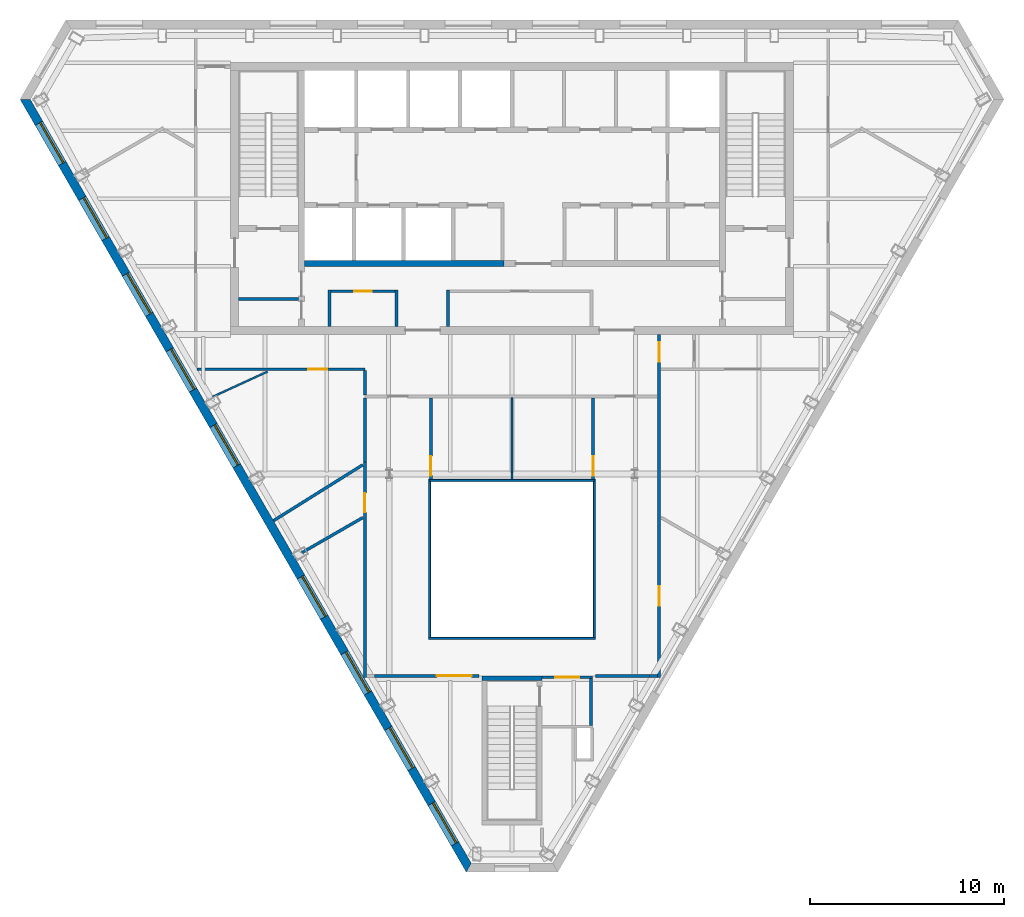
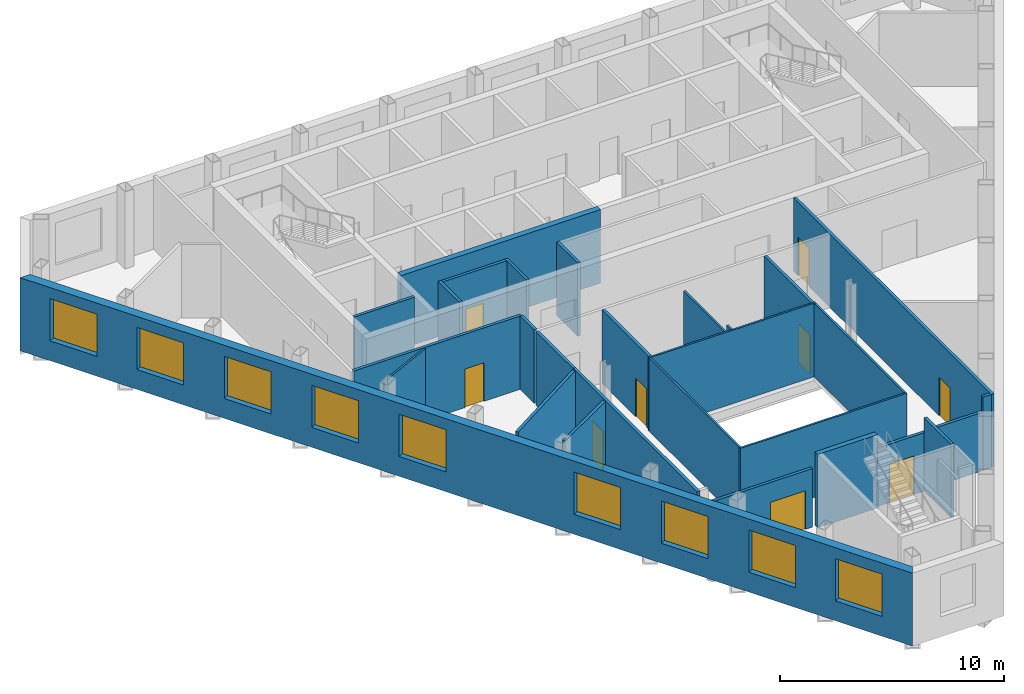
# One storey, part 4 of 10: 29 walls, 9 doors, 9 windows, 18 openings.
"""IFC4 building model written with IfcOpenShell, lengths in metres."""

from ifc_helpers import new_model, si_unit, direction, frame, frame_2d, origin, place, context, subcontext, project, spatial, polyline, rectangle, outline, extrude, material, layer, layer_set, type_object, element, fill, save


model = new_model("IFC4")

# Units and contexts
model_context = context("Model", 3, precision=1e-05, world=origin(), true_north=direction((0.0, 1.0)))
body_context = subcontext(model_context, "Body", "Model", "MODEL_VIEW")
ifc_project = project(units=[si_unit("LENGTHUNIT", "METRE"), si_unit("AREAUNIT", "SQUARE_METRE"), si_unit("VOLUMEUNIT", "CUBIC_METRE"), si_unit("PLANEANGLEUNIT", "RADIAN"), si_unit("MASSUNIT", "GRAM", prefix="KILO")], contexts=[model_context])

# Site, building, storey
site_placement = place(None, origin())
site = spatial("IfcSite", under=ifc_project, at=site_placement, CompositionType="ELEMENT")
building_placement = place(site_placement, origin())
building = spatial("IfcBuilding", under=site, at=building_placement, Name="Njiva Tower", CompositionType="ELEMENT")
storey_placement = place(building_placement, frame((0.0, 0.0, 304.2)))
storey = spatial("IfcBuildingStorey", under=building, at=storey_placement, Name="L69", CompositionType="ELEMENT", Elevation=304.2)

# Walls
ifc_material_1 = material(Name="Blockwork", Category="masonry")
ifc_layer_1 = layer(ifc_material_1, 0.15)
ifc_layer_set_1 = layer_set([ifc_layer_1], Name="Blockwork")
wall_type_1 = type_object("IfcWallType", Name="WT1 Compartment partition 150", PredefinedType="PARTITIONING", material=ifc_layer_set_1)
wall_1_placement = place(storey_placement, frame((-14.1, 5.825, 0.0), z_axis=(0.0, 0.0, 1.0), x_axis=(1.0, 0.0, 0.0)))
element("IfcWall", 1, at=wall_1_placement, inside=storey, type_object=wall_type_1, Name="Room wall A", PredefinedType="PARTITIONING", context=body_context, shape_type="SweptSolid", body=[
    extrude(rectangle(XDim=3.1, YDim=0.15, at=frame_2d((1.55, 0.0))), origin(), (0.0, 0.0, 1.0), 4.0),
])
for number, where, z_axis, x_axis, name in (
    (2, (-9.4, 4.4, 0.0), (0.0, 0.0, 1.0), (0.0, 1.0, 0.0), "Security office wall west"),
    (3, (-5.95, 4.4, 0.0), (0.0, 0.0, 1.0), (0.0, 1.0, 0.0), "Security office wall east"),
):
    element("IfcWall", number, at=place(storey_placement, frame(where, z_axis=z_axis, x_axis=x_axis)), inside=storey, type_object=wall_type_1, Name=name, PredefinedType="PARTITIONING", context=body_context, shape_type="SweptSolid", body=[
        extrude(rectangle(XDim=1.895, YDim=0.15, at=frame_2d((0.9475, 0.0))), origin(), (0.0, 0.0, 1.0), 4.0),
    ])

# Wall, opening, door
wall_2_placement = place(storey_placement, frame((-9.325, 6.22, 0.0), z_axis=(0.0, 0.0, 1.0), x_axis=(1.0, 0.0, 0.0)))
wall_2 = element("IfcWall", 4, at=wall_2_placement, inside=storey, type_object=wall_type_1, Name="Security office wall north", PredefinedType="PARTITIONING", context=body_context, shape_type="SweptSolid", body=[
    extrude(rectangle(XDim=3.3, YDim=0.15, at=frame_2d((1.65, 0.0))), origin(), (0.0, 0.0, 1.0), 4.0),
])
opening_1_placement = place(wall_2_placement, frame((1.2, 0.0, 0.0)))
opening_1 = element("IfcOpeningElement", 5, at=opening_1_placement, cuts=wall_2, Name="Opening S23-D926", PredefinedType="OPENING", context=body_context, shape_type="SweptSolid", body=[
    extrude(rectangle(XDim=0.9, YDim=2.1, at=frame_2d((0.45, 1.05))), frame((0.0, 0.085, 0.0), z_axis=(0.0, -1.0, 0.0), x_axis=(1.0, 0.0, 0.0)), (0.0, 0.0, 1.0), 0.17),
])
ifc_material_2 = material(Name="Steel fire door, painted", Category="steel")
door_type_1 = type_object("IfcDoorType", Name="D6 Fire-rated door 900x2100", OperationType="SINGLE_SWING_LEFT", PredefinedType="DOOR", material=ifc_material_2)
door_1_placement = place(opening_1_placement, origin())
door_1 = element("IfcDoor", 6, at=door_1_placement, inside=storey, type_object=door_type_1, Name="Security office door", OperationType="SINGLE_SWING_RIGHT", OverallHeight=2.1, OverallWidth=0.9, PredefinedType="DOOR", context=body_context, shape_type="SweptSolid", body=[
    extrude(rectangle(XDim=0.9, YDim=2.1, at=frame_2d((0.45, 1.05))), frame((0.0, 0.025, 0.0), z_axis=(0.0, -1.0, 0.0), x_axis=(1.0, 0.0, 0.0)), (0.0, 0.0, 1.0), 0.05),
])
fill(opening_1, door_1)

# Walls
wall_3_placement = place(storey_placement, frame((-3.3, 4.4, 0.0), z_axis=(0.0, 0.0, 1.0), x_axis=(0.0, 1.0, 0.0)))
element("IfcWall", 7, at=wall_3_placement, inside=storey, type_object=wall_type_1, Name="Concierge office wall west", PredefinedType="PARTITIONING", context=body_context, shape_type="SweptSolid", body=[
    extrude(rectangle(XDim=1.895, YDim=0.15, at=frame_2d((0.9475, 0.0))), origin(), (0.0, 0.0, 1.0), 4.0),
])
ifc_material_3 = material(Name="Gypsum board on steel studs", Category="gypsum")
ifc_layer_2 = layer(ifc_material_3, 0.1)
ifc_layer_set_2 = layer_set([ifc_layer_2], Name="Gypsum board on steel studs")
wall_type_2 = type_object("IfcWallType", Name="WT20 Gypsum partition 100", PredefinedType="PARTITIONING", material=ifc_layer_set_2)
wall_4_placement = place(storey_placement, frame((-15.435, 0.779, 0.0), z_axis=(0.0, 0.0, 1.0), x_axis=(0.908867400556, 0.417085180996, 0.0)))
element("IfcWall", 8, at=wall_4_placement, inside=storey, type_object=wall_type_2, Name="Partition S23-P006", PredefinedType="PARTITIONING", context=body_context, shape_type="SweptSolid", body=[
    extrude(rectangle(XDim=3.1193, YDim=0.1, at=frame_2d((1.5596, 0.0))), origin(), (0.0, 0.0, 1.0), 4.0),
])
wall_5_placement = place(storey_placement, frame((-0.001, 0.725, 0.0), z_axis=(0.0, 0.0, 1.0), x_axis=(0.000235294111, -0.999999972318, 0.0)))
element("IfcWall", 9, at=wall_5_placement, inside=storey, type_object=wall_type_2, Name="Partition S23-P015", PredefinedType="PARTITIONING", context=body_context, shape_type="SweptSolid", body=[
    extrude(rectangle(XDim=3.825, YDim=0.1, at=frame_2d((1.9125, 0.0))), origin(), (0.0, 0.0, 1.0), 3.55),
])
wall_6_placement = place(storey_placement, frame((-0.0001, -3.1, 0.0), z_axis=(0.0, 0.0, 1.0), x_axis=(0.000263157886, -0.999999965374, 0.0)))
element("IfcWall", 10, at=wall_6_placement, inside=storey, type_object=wall_type_2, Name="Partition S23-P015A", PredefinedType="PARTITIONING", context=body_context, shape_type="SweptSolid", body=[
    extrude(rectangle(XDim=0.38, YDim=0.1, at=frame_2d((0.19, 0.0))), origin(), (0.0, 0.0, 1.0), 4.0),
])

# Wall, opening, door
ifc_layer_3 = layer(ifc_material_3, 0.15)
ifc_layer_set_3 = layer_set([ifc_layer_3], Name="Gypsum board on steel studs")
wall_type_3 = type_object("IfcWallType", Name="WT21 Compartment wall 150", PredefinedType="PARTITIONING", material=ifc_layer_set_3)
wall_7_placement = place(storey_placement, frame((-16.225, 2.2, 0.0), z_axis=(0.0, 0.0, 1.0), x_axis=(1.0, 0.0, 0.0)))
wall_7 = element("IfcWall", 11, at=wall_7_placement, inside=storey, type_object=wall_type_3, Name="Partition S23-P004", PredefinedType="PARTITIONING", context=body_context, shape_type="SweptSolid", body=[
    extrude(rectangle(XDim=8.645, YDim=0.15, at=frame_2d((4.3225, 0.0))), origin(), (0.0, 0.0, 1.0), 4.0),
])
opening_2_placement = place(wall_7_placement, frame((5.714, 0.0, 0.0)))
opening_2 = element("IfcOpeningElement", 12, at=opening_2_placement, cuts=wall_7, Name="Opening S23-D003", PredefinedType="OPENING", context=body_context, shape_type="SweptSolid", body=[
    extrude(rectangle(XDim=1.0, YDim=2.1, at=frame_2d((0.5, 1.05))), frame((0.0, 0.085, 0.0), z_axis=(0.0, -1.0, 0.0), x_axis=(1.0, 0.0, 0.0)), (0.0, 0.0, 1.0), 0.17),
])
ifc_material_4 = material(Name="Steel fire door set", Category="steel")
door_type_2 = type_object("IfcDoorType", Name="D37 Fire door 1000x2100", OperationType="SINGLE_SWING_LEFT", PredefinedType="DOOR", material=ifc_material_4)
door_2_placement = place(opening_2_placement, origin())
door_2 = element("IfcDoor", 13, at=door_2_placement, inside=storey, type_object=door_type_2, Name="Door S23-D003", OperationType="SINGLE_SWING_RIGHT", OverallHeight=2.1, OverallWidth=1.0, PredefinedType="DOOR", context=body_context, shape_type="SweptSolid", body=[
    extrude(rectangle(XDim=1.0, YDim=2.1, at=frame_2d((0.5, 1.05))), frame((0.0, 0.025, 0.0), z_axis=(0.0, -1.0, 0.0), x_axis=(1.0, 0.0, 0.0)), (0.0, 0.0, 1.0), 0.05),
])
fill(opening_2, door_2)

# Walls
wall_8_placement = place(storey_placement, frame((-12.295, -5.607, 0.0), z_axis=(0.0, 0.0, 1.0), x_axis=(0.847749725297, 0.530396458566, 0.0)))
element("IfcWall", 14, at=wall_8_placement, inside=storey, type_object=wall_type_3, Name="Partition S23-P007", PredefinedType="PARTITIONING", context=body_context, shape_type="SweptSolid", body=[
    extrude(rectangle(XDim=5.4261, YDim=0.15, at=frame_2d((2.713, 0.0))), origin(), (0.0, 0.0, 1.0), 4.0),
])
wall_9_placement = place(storey_placement, frame((-10.826, -7.253, 0.0), z_axis=(0.0, 0.0, 1.0), x_axis=(0.866314412185, 0.499499088328, 0.0)))
element("IfcWall", 15, at=wall_9_placement, inside=storey, type_object=wall_type_3, Name="Partition S23-P008", PredefinedType="PARTITIONING", context=body_context, shape_type="SweptSolid", body=[
    extrude(rectangle(XDim=3.6176, YDim=0.15, at=frame_2d((1.8088, 0.0))), origin(), (0.0, 0.0, 1.0), 4.0),
])

# Wall, opening, door
wall_10_placement = place(storey_placement, frame((-7.58, -13.675, 0.0), z_axis=(0.0, 0.0, 1.0), x_axis=(0.0, 1.0, 0.0)))
wall_10 = element("IfcWall", 16, at=wall_10_placement, inside=storey, type_object=wall_type_3, Name="Partition S23-P009", PredefinedType="PARTITIONING", context=body_context, shape_type="SweptSolid", body=[
    extrude(rectangle(XDim=11.093, YDim=0.15, at=frame_2d((5.5465, 0.0))), origin(), (0.0, 0.0, 1.0), 4.0),
])
opening_3_placement = place(wall_10_placement, frame((8.493, 0.0, 0.0)))
opening_3 = element("IfcOpeningElement", 17, at=opening_3_placement, cuts=wall_10, Name="Opening S23-D005", PredefinedType="OPENING", context=body_context, shape_type="SweptSolid", body=[
    extrude(rectangle(XDim=1.0, YDim=2.1, at=frame_2d((0.5, 1.05))), frame((0.0, 0.085, 0.0), z_axis=(0.0, -1.0, 0.0), x_axis=(1.0, 0.0, 0.0)), (0.0, 0.0, 1.0), 0.17),
])
door_3_placement = place(opening_3_placement, origin())
door_3 = element("IfcDoor", 18, at=door_3_placement, inside=storey, type_object=door_type_2, Name="Door S23-D005", OperationType="SINGLE_SWING_LEFT", OverallHeight=2.1, OverallWidth=1.0, PredefinedType="DOOR", context=body_context, shape_type="SweptSolid", body=[
    extrude(rectangle(XDim=1.0, YDim=2.1, at=frame_2d((0.5, 1.05))), frame((0.0, 0.025, 0.0), z_axis=(0.0, -1.0, 0.0), x_axis=(1.0, 0.0, 0.0)), (0.0, 0.0, 1.0), 0.05),
])
fill(opening_3, door_3)

# Walls
wall_11_placement = place(storey_placement, frame((-7.58, -2.582, 0.0), z_axis=(0.0, 0.0, 1.0), x_axis=(0.0, 1.0, 0.0)))
element("IfcWall", 19, at=wall_11_placement, inside=storey, type_object=wall_type_3, Name="Partition S23-P010", PredefinedType="PARTITIONING", context=body_context, shape_type="SweptSolid", body=[
    extrude(rectangle(XDim=3.307, YDim=0.15, at=frame_2d((1.6535, 0.0))), origin(), (0.0, 0.0, 1.0), 4.0),
])
wall_12_placement = place(storey_placement, frame((-7.58, 0.875, 0.0), z_axis=(0.0, 0.0, 1.0), x_axis=(0.0, 1.0, 0.0)))
element("IfcWall", 20, at=wall_12_placement, inside=storey, type_object=wall_type_3, Name="Partition S23-P012", PredefinedType="PARTITIONING", context=body_context, shape_type="SweptSolid", body=[
    extrude(rectangle(XDim=1.25, YDim=0.15, at=frame_2d((0.625, 0.0))), origin(), (0.0, 0.0, 1.0), 4.0),
])

# Wall, opening, door
wall_13_placement = place(storey_placement, frame((-7.075, -13.6, 0.0), z_axis=(0.0, 0.0, 1.0), x_axis=(1.0, 0.0, 0.0)))
wall_13 = element("IfcWall", 21, at=wall_13_placement, inside=storey, type_object=wall_type_3, Name="Partition S23-P013A", PredefinedType="PARTITIONING", context=body_context, shape_type="SweptSolid", body=[
    extrude(rectangle(XDim=5.375, YDim=0.15, at=frame_2d((2.6875, 0.0))), origin(), (0.0, 0.0, 1.0), 3.186),
])
opening_4_placement = place(wall_13_placement, frame((3.2, 0.0, 0.0)))
opening_4 = element("IfcOpeningElement", 22, at=opening_4_placement, cuts=wall_13, Name="Opening S23-D008", PredefinedType="OPENING", context=body_context, shape_type="SweptSolid", body=[
    extrude(rectangle(XDim=1.8, YDim=2.1, at=frame_2d((0.9, 1.05))), frame((0.0, 0.085, 0.0), z_axis=(0.0, -1.0, 0.0), x_axis=(1.0, 0.0, 0.0)), (0.0, 0.0, 1.0), 0.17),
])
door_type_3 = type_object("IfcDoorType", Name="D38 Fire door 1800x2100", OperationType="DOUBLE_DOOR_SINGLE_SWING", PredefinedType="DOOR", material=ifc_material_4)
door_4_placement = place(opening_4_placement, origin())
door_4 = element("IfcDoor", 23, at=door_4_placement, inside=storey, type_object=door_type_3, Name="Door S23-D008", OperationType="DOUBLE_DOOR_SINGLE_SWING", OverallHeight=2.1, OverallWidth=1.8, PredefinedType="DOOR", context=body_context, shape_type="SweptSolid", body=[
    extrude(rectangle(XDim=1.8, YDim=2.1, at=frame_2d((0.9, 1.05))), frame((0.0, 0.025, 0.0), z_axis=(0.0, -1.0, 0.0), x_axis=(1.0, 0.0, 0.0)), (0.0, 0.0, 1.0), 0.05),
])
fill(opening_4, door_4)

wall_14_placement = place(storey_placement, frame((-4.18, 0.725, 0.0), z_axis=(0.0, 0.0, 1.0), x_axis=(0.000237812122, -0.999999971723, 0.0)))
wall_14 = element("IfcWall", 24, at=wall_14_placement, inside=storey, type_object=wall_type_3, Name="Partition S23-P014", PredefinedType="PARTITIONING", context=body_context, shape_type="SweptSolid", body=[
    extrude(rectangle(XDim=4.205, YDim=0.15, at=frame_2d((2.1025, 0.0))), origin(), (0.0, 0.0, 1.0), 4.0),
])
opening_5_placement = place(wall_14_placement, frame((3.005, 0.0, 0.0)))
opening_5 = element("IfcOpeningElement", 25, at=opening_5_placement, cuts=wall_14, Name="Opening S23-D009", PredefinedType="OPENING", context=body_context, shape_type="SweptSolid", body=[
    extrude(rectangle(XDim=1.0, YDim=2.1, at=frame_2d((0.5, 1.05))), frame((0.0, 0.085, 0.0), z_axis=(0.0, -1.0, 0.0), x_axis=(1.0, 0.0, 0.0)), (0.0, 0.0, 1.0), 0.17),
])
door_5_placement = place(opening_5_placement, origin())
door_5 = element("IfcDoor", 26, at=door_5_placement, inside=storey, type_object=door_type_2, Name="Door S23-D009", OperationType="SINGLE_SWING_LEFT", OverallHeight=2.1, OverallWidth=1.0, PredefinedType="DOOR", context=body_context, shape_type="SweptSolid", body=[
    extrude(rectangle(XDim=1.0, YDim=2.1, at=frame_2d((0.5, 1.05))), frame((0.0, 0.025, 0.0), z_axis=(0.0, -1.0, 0.0), x_axis=(1.0, 0.0, 0.0)), (0.0, 0.0, 1.0), 0.05),
])
fill(opening_5, door_5)

wall_15_placement = place(storey_placement, frame((4.179, 0.725, 0.0), z_axis=(0.0, 0.0, 1.0), x_axis=(0.000237812122, -0.999999971723, 0.0)))
wall_15 = element("IfcWall", 27, at=wall_15_placement, inside=storey, type_object=wall_type_3, Name="Partition S23-P018", PredefinedType="PARTITIONING", context=body_context, shape_type="SweptSolid", body=[
    extrude(rectangle(XDim=4.205, YDim=0.15, at=frame_2d((2.1025, 0.0))), origin(), (0.0, 0.0, 1.0), 4.0),
])
opening_6_placement = place(wall_15_placement, frame((3.005, 0.0, 0.0)))
opening_6 = element("IfcOpeningElement", 28, at=opening_6_placement, cuts=wall_15, Name="Opening S23-D010", PredefinedType="OPENING", context=body_context, shape_type="SweptSolid", body=[
    extrude(rectangle(XDim=1.0, YDim=2.1, at=frame_2d((0.5, 1.05))), frame((0.0, 0.085, 0.0), z_axis=(0.0, -1.0, 0.0), x_axis=(1.0, 0.0, 0.0)), (0.0, 0.0, 1.0), 0.17),
])
door_6_placement = place(opening_6_placement, origin())
door_6 = element("IfcDoor", 29, at=door_6_placement, inside=storey, type_object=door_type_2, Name="Door S23-D010", OperationType="SINGLE_SWING_RIGHT", OverallHeight=2.1, OverallWidth=1.0, PredefinedType="DOOR", context=body_context, shape_type="SweptSolid", body=[
    extrude(rectangle(XDim=1.0, YDim=2.1, at=frame_2d((0.5, 1.05))), frame((0.0, 0.025, 0.0), z_axis=(0.0, -1.0, 0.0), x_axis=(1.0, 0.0, 0.0)), (0.0, 0.0, 1.0), 0.05),
])
fill(opening_6, door_6)

# Walls
wall_16_placement = place(storey_placement, frame((4.3, -13.6, 0.0), z_axis=(0.0, 0.0, 1.0), x_axis=(1.0, 0.0, 0.0)))
element("IfcWall", 30, at=wall_16_placement, inside=storey, type_object=wall_type_3, Name="Partition S23-P019", PredefinedType="PARTITIONING", context=body_context, shape_type="SweptSolid", body=[
    extrude(rectangle(XDim=2.775, YDim=0.15, at=frame_2d((1.3875, 0.0))), origin(), (0.0, 0.0, 1.0), 3.186),
])
wall_17_placement = place(storey_placement, frame((7.075, -13.6, 0.0), z_axis=(0.0, 0.0, 1.0), x_axis=(1.0, 0.0, 0.0)))
element("IfcWall", 31, at=wall_17_placement, inside=storey, type_object=wall_type_3, Name="Partition S23-P019A", PredefinedType="PARTITIONING", context=body_context, shape_type="SweptSolid", body=[
    extrude(rectangle(XDim=0.43, YDim=0.15, at=frame_2d((0.215, 0.0))), origin(), (0.0, 0.0, 1.0), 4.0),
])

# Wall, openings, doors
wall_18_placement = place(storey_placement, frame((7.58, -13.675, 0.0), z_axis=(0.0, 0.0, 1.0), x_axis=(0.0, 1.0, 0.0)))
wall_18 = element("IfcWall", 32, at=wall_18_placement, inside=storey, type_object=wall_type_3, Name="Partition S23-P020", PredefinedType="PARTITIONING", context=body_context, shape_type="SweptSolid", body=[
    extrude(rectangle(XDim=17.675, YDim=0.15, at=frame_2d((8.8375, 0.0))), origin(), (0.0, 0.0, 1.0), 4.0),
])
opening_7_placement = place(wall_18_placement, frame((3.684, 0.0, 0.0)))
opening_7 = element("IfcOpeningElement", 33, at=opening_7_placement, cuts=wall_18, Name="Opening S23-D011", PredefinedType="OPENING", context=body_context, shape_type="SweptSolid", body=[
    extrude(rectangle(XDim=1.0, YDim=2.1, at=frame_2d((0.5, 1.05))), frame((0.0, 0.085, 0.0), z_axis=(0.0, -1.0, 0.0), x_axis=(1.0, 0.0, 0.0)), (0.0, 0.0, 1.0), 0.17),
])
opening_8_placement = place(wall_18_placement, frame((16.275, 0.0, 0.0)))
opening_8 = element("IfcOpeningElement", 34, at=opening_8_placement, cuts=wall_18, Name="Opening S23-D012", PredefinedType="OPENING", context=body_context, shape_type="SweptSolid", body=[
    extrude(rectangle(XDim=1.0, YDim=2.1, at=frame_2d((0.5, 1.05))), frame((0.0, 0.085, 0.0), z_axis=(0.0, -1.0, 0.0), x_axis=(1.0, 0.0, 0.0)), (0.0, 0.0, 1.0), 0.17),
])
door_7_placement = place(opening_7_placement, origin())
door_7 = element("IfcDoor", 35, at=door_7_placement, inside=storey, type_object=door_type_2, Name="Door S23-D011", OperationType="SINGLE_SWING_LEFT", OverallHeight=2.1, OverallWidth=1.0, PredefinedType="DOOR", context=body_context, shape_type="SweptSolid", body=[
    extrude(rectangle(XDim=1.0, YDim=2.1, at=frame_2d((0.5, 1.05))), frame((0.0, 0.025, 0.0), z_axis=(0.0, -1.0, 0.0), x_axis=(1.0, 0.0, 0.0)), (0.0, 0.0, 1.0), 0.05),
])
fill(opening_7, door_7)
door_8_placement = place(opening_8_placement, origin())
door_8 = element("IfcDoor", 36, at=door_8_placement, inside=storey, type_object=door_type_2, Name="Door S23-D012", OperationType="SINGLE_SWING_RIGHT", OverallHeight=2.1, OverallWidth=1.0, PredefinedType="DOOR", context=body_context, shape_type="SweptSolid", body=[
    extrude(rectangle(XDim=1.0, YDim=2.1, at=frame_2d((0.5, 1.05))), frame((0.0, 0.025, 0.0), z_axis=(0.0, -1.0, 0.0), x_axis=(1.0, 0.0, 0.0)), (0.0, 0.0, 1.0), 0.05),
])
fill(opening_8, door_8)

# Wall
ifc_layer_4 = layer(ifc_material_1, 0.15)
ifc_layer_set_4 = layer_set([ifc_layer_4], Name="Blockwork")
wall_type_4 = type_object("IfcWallType", Name="WT4 Stair partition 150", PredefinedType="PARTITIONING", material=ifc_layer_set_4)
wall_19_placement = place(storey_placement, frame((4.075, -16.15, 0.0), z_axis=(0.0, 0.0, 1.0), x_axis=(0.0, 1.0, 0.0)))
element("IfcWall", 37, at=wall_19_placement, inside=storey, type_object=wall_type_4, Name="Stair C vestibule wall east", PredefinedType="PARTITIONING", context=body_context, shape_type="SweptSolid", body=[
    extrude(rectangle(XDim=2.4, YDim=0.15, at=frame_2d((1.2, 0.0))), origin(), (0.0, 0.0, 1.0), 4.0),
])

# Wall, opening, door
wall_20_placement = place(storey_placement, frame((1.55, -13.675, 0.0), z_axis=(0.0, 0.0, 1.0), x_axis=(1.0, 0.0, 0.0)))
wall_20 = element("IfcWall", 38, at=wall_20_placement, inside=storey, type_object=wall_type_4, Name="Stair C vestibule wall north", PredefinedType="PARTITIONING", context=body_context, shape_type="SweptSolid", body=[
    extrude(rectangle(XDim=2.6, YDim=0.15, at=frame_2d((1.3, 0.0))), origin(), (0.0, 0.0, 1.0), 3.186),
])
opening_9_placement = place(wall_20_placement, frame((0.675, 0.0, 0.0)))
opening_9 = element("IfcOpeningElement", 39, at=opening_9_placement, cuts=wall_20, Name="Opening S23-D932", PredefinedType="OPENING", context=body_context, shape_type="SweptSolid", body=[
    extrude(rectangle(XDim=1.25, YDim=2.1, at=frame_2d((0.625, 1.05))), frame((0.0, 0.085, 0.0), z_axis=(0.0, -1.0, 0.0), x_axis=(1.0, 0.0, 0.0)), (0.0, 0.0, 1.0), 0.17),
])
ifc_material_5 = material(Name="Glazed steel fire door", Category="steel")
door_type_4 = type_object("IfcDoorType", Name="D8 Vestibule corridor door 1250x2100 glazed", OperationType="SINGLE_SWING_LEFT", PredefinedType="DOOR", material=ifc_material_5)
door_9_placement = place(opening_9_placement, origin())
door_9 = element("IfcDoor", 40, at=door_9_placement, inside=storey, type_object=door_type_4, Name="Stair vestibule corridor door", OperationType="SINGLE_SWING_RIGHT", OverallHeight=2.1, OverallWidth=1.25, PredefinedType="DOOR", context=body_context, shape_type="SweptSolid", body=[
    extrude(rectangle(XDim=1.25, YDim=2.1, at=frame_2d((0.625, 1.05))), frame((0.0, 0.025, 0.0), z_axis=(0.0, -1.0, 0.0), x_axis=(1.0, 0.0, 0.0)), (0.0, 0.0, 1.0), 0.05),
])
fill(opening_9, door_9)

# Walls
ifc_material_6 = material(Name="Concrete C40/50", Category="concrete")
ifc_layer_5 = layer(ifc_material_6, 0.3)
ifc_layer_set_5 = layer_set([ifc_layer_5], Name="Concrete C40/50")
wall_type_5 = type_object("IfcWallType", Name="WT7 Lift shaft wall 300", PredefinedType="SHEAR", material=ifc_layer_set_5)
wall_21_placement = place(storey_placement, frame((-10.7, 7.65, 0.0), z_axis=(0.0, 0.0, 1.0), x_axis=(1.0, 0.0, 0.0)))
element("IfcWall", 41, at=wall_21_placement, inside=storey, type_object=wall_type_5, Name="Shaft wall south row back W", PredefinedType="SHEAR", context=body_context, shape_type="SweptSolid", body=[
    extrude(rectangle(XDim=10.3, YDim=0.3, at=frame_2d((5.15, 0.0))), origin(), (0.0, 0.0, 1.0), 4.0),
])
ifc_layer_6 = layer(ifc_material_6, 0.25)
ifc_layer_set_6 = layer_set([ifc_layer_6], Name="Concrete C40/50")
wall_type_6 = type_object("IfcWallType", Name="WT9 Stair enclosure wall 250", PredefinedType="SHEAR", material=ifc_layer_set_6)
wall_22_placement = place(storey_placement, frame((-1.55, -13.725, 0.0), z_axis=(0.0, 0.0, 1.0), x_axis=(1.0, 0.0, 0.0)))
element("IfcWall", 42, at=wall_22_placement, inside=storey, type_object=wall_type_6, Name="Stair C wall north", PredefinedType="SHEAR", context=body_context, shape_type="SweptSolid", body=[
    extrude(rectangle(XDim=3.1, YDim=0.25, at=frame_2d((1.55, 0.0))), origin(), (0.0, 0.0, 1.0), 4.0),
])

# Wall, openings, windows
ifc_material_7 = material(Name="Brick masonry", Category="masonry")
ifc_layer_7 = layer(ifc_material_7, 0.45)
ifc_layer_set_7 = layer_set([ifc_layer_7], Name="Brick masonry")
wall_type_7 = type_object("IfcWallType", Name="WT90 Brick pier and spandrel wall 450", PredefinedType="SOLIDWALL", material=ifc_layer_set_7)
wall_23_placement = place(storey_placement, frame((-25.0952, 16.1124, -0.18), z_axis=(0.0, 0.0, 1.0), x_axis=(0.500000141277, -0.866025322218, 0.0)))
wall_23 = element("IfcWall", 43, at=wall_23_placement, inside=storey, type_object=wall_type_7, Name="Facade wall SW", PredefinedType="SOLIDWALL", context=body_context, shape_type="SweptSolid", body=[
    extrude(outline(polyline([(-0.1299, -0.225), (45.8601, -0.225), (45.6003, 0.225), (0.1299, 0.225), (-0.1299, -0.225)])), origin(), (0.0, 0.0, 1.0), 3.98),
])
opening_10_placement = place(wall_23_placement, frame((1.4237, 0.0, 1.08)))
opening_10 = element("IfcOpeningElement", 44, at=opening_10_placement, cuts=wall_23, Name="Opening S23-W09", PredefinedType="OPENING", context=body_context, shape_type="SweptSolid", body=[
    extrude(rectangle(XDim=2.4, YDim=2.3, at=frame_2d((1.2, 1.15))), frame((0.0, 0.235, 0.0), z_axis=(0.0, -1.0, 0.0), x_axis=(1.0, 0.0, 0.0)), (0.0, 0.0, 1.0), 0.47),
])
opening_11_placement = place(wall_23_placement, frame((5.8919, 0.0, 1.08)))
opening_11 = element("IfcOpeningElement", 45, at=opening_11_placement, cuts=wall_23, Name="Opening S23-W10", PredefinedType="OPENING", context=body_context, shape_type="SweptSolid", body=[
    extrude(rectangle(XDim=2.4, YDim=2.3, at=frame_2d((1.2, 1.15))), frame((0.0, 0.235, 0.0), z_axis=(0.0, -1.0, 0.0), x_axis=(1.0, 0.0, 0.0)), (0.0, 0.0, 1.0), 0.47),
])
opening_12_placement = place(wall_23_placement, frame((10.3985, 0.0, 1.08)))
opening_12 = element("IfcOpeningElement", 46, at=opening_12_placement, cuts=wall_23, Name="Opening S23-W11", PredefinedType="OPENING", context=body_context, shape_type="SweptSolid", body=[
    extrude(rectangle(XDim=2.4, YDim=2.3, at=frame_2d((1.2, 1.15))), frame((0.0, 0.235, 0.0), z_axis=(0.0, -1.0, 0.0), x_axis=(1.0, 0.0, 0.0)), (0.0, 0.0, 1.0), 0.47),
])
opening_13_placement = place(wall_23_placement, frame((14.9052, 0.0, 1.08)))
opening_13 = element("IfcOpeningElement", 47, at=opening_13_placement, cuts=wall_23, Name="Opening S23-W12", PredefinedType="OPENING", context=body_context, shape_type="SweptSolid", body=[
    extrude(rectangle(XDim=2.4, YDim=2.3, at=frame_2d((1.2, 1.15))), frame((0.0, 0.235, 0.0), z_axis=(0.0, -1.0, 0.0), x_axis=(1.0, 0.0, 0.0)), (0.0, 0.0, 1.0), 0.47),
])
opening_14_placement = place(wall_23_placement, frame((19.4118, 0.0, 1.08)))
opening_14 = element("IfcOpeningElement", 48, at=opening_14_placement, cuts=wall_23, Name="Opening S23-W13", PredefinedType="OPENING", context=body_context, shape_type="SweptSolid", body=[
    extrude(rectangle(XDim=2.4, YDim=2.3, at=frame_2d((1.2, 1.15))), frame((0.0, 0.235, 0.0), z_axis=(0.0, -1.0, 0.0), x_axis=(1.0, 0.0, 0.0)), (0.0, 0.0, 1.0), 0.47),
])
opening_15_placement = place(wall_23_placement, frame((28.425, 0.0, 1.08)))
opening_15 = element("IfcOpeningElement", 49, at=opening_15_placement, cuts=wall_23, Name="Opening S23-W14", PredefinedType="OPENING", context=body_context, shape_type="SweptSolid", body=[
    extrude(rectangle(XDim=2.4, YDim=2.3, at=frame_2d((1.2, 1.15))), frame((0.0, 0.235, 0.0), z_axis=(0.0, -1.0, 0.0), x_axis=(1.0, 0.0, 0.0)), (0.0, 0.0, 1.0), 0.47),
])
opening_16_placement = place(wall_23_placement, frame((32.9316, 0.0, 1.08)))
opening_16 = element("IfcOpeningElement", 50, at=opening_16_placement, cuts=wall_23, Name="Opening S23-W15", PredefinedType="OPENING", context=body_context, shape_type="SweptSolid", body=[
    extrude(rectangle(XDim=2.4, YDim=2.3, at=frame_2d((1.2, 1.15))), frame((0.0, 0.235, 0.0), z_axis=(0.0, -1.0, 0.0), x_axis=(1.0, 0.0, 0.0)), (0.0, 0.0, 1.0), 0.47),
])
opening_17_placement = place(wall_23_placement, frame((37.4383, 0.0, 1.08)))
opening_17 = element("IfcOpeningElement", 51, at=opening_17_placement, cuts=wall_23, Name="Opening S23-W16", PredefinedType="OPENING", context=body_context, shape_type="SweptSolid", body=[
    extrude(rectangle(XDim=2.4, YDim=2.3, at=frame_2d((1.2, 1.15))), frame((0.0, 0.235, 0.0), z_axis=(0.0, -1.0, 0.0), x_axis=(1.0, 0.0, 0.0)), (0.0, 0.0, 1.0), 0.47),
])
opening_18_placement = place(wall_23_placement, frame((41.9065, 0.0, 1.08)))
opening_18 = element("IfcOpeningElement", 52, at=opening_18_placement, cuts=wall_23, Name="Opening S23-W17", PredefinedType="OPENING", context=body_context, shape_type="SweptSolid", body=[
    extrude(rectangle(XDim=2.4, YDim=2.3, at=frame_2d((1.2, 1.15))), frame((0.0, 0.235, 0.0), z_axis=(0.0, -1.0, 0.0), x_axis=(1.0, 0.0, 0.0)), (0.0, 0.0, 1.0), 0.47),
])
ifc_material_8 = material(Name="Clear glazing in aluminium frame", Category="aluminium")
window_type = type_object("IfcWindowType", Name="W91 Deep-set window 2400x2300", PartitioningType="SINGLE_PANEL", PredefinedType="WINDOW", material=ifc_material_8)
window_1_placement = place(opening_10_placement, origin())
window_1 = element("IfcWindow", 53, at=window_1_placement, inside=storey, type_object=window_type, Name="Window", OverallHeight=2.3, OverallWidth=2.4, PartitioningType="SINGLE_PANEL", PredefinedType="WINDOW", context=body_context, shape_type="SweptSolid", body=[
    extrude(rectangle(XDim=2.4, YDim=2.3, at=frame_2d((1.2, 1.15))), frame((0.0, 0.105, 0.0), z_axis=(0.0, -1.0, 0.0), x_axis=(1.0, 0.0, 0.0)), (0.0, 0.0, 1.0), 0.06),
])
fill(opening_10, window_1)
window_2_placement = place(opening_11_placement, origin())
window_2 = element("IfcWindow", 54, at=window_2_placement, inside=storey, type_object=window_type, Name="Window", OverallHeight=2.3, OverallWidth=2.4, PartitioningType="SINGLE_PANEL", PredefinedType="WINDOW", context=body_context, shape_type="SweptSolid", body=[
    extrude(rectangle(XDim=2.4, YDim=2.3, at=frame_2d((1.2, 1.15))), frame((0.0, 0.105, 0.0), z_axis=(0.0, -1.0, 0.0), x_axis=(1.0, 0.0, 0.0)), (0.0, 0.0, 1.0), 0.06),
])
fill(opening_11, window_2)
window_3_placement = place(opening_12_placement, origin())
window_3 = element("IfcWindow", 55, at=window_3_placement, inside=storey, type_object=window_type, Name="Window", OverallHeight=2.3, OverallWidth=2.4, PartitioningType="SINGLE_PANEL", PredefinedType="WINDOW", context=body_context, shape_type="SweptSolid", body=[
    extrude(rectangle(XDim=2.4, YDim=2.3, at=frame_2d((1.2, 1.15))), frame((0.0, 0.105, 0.0), z_axis=(0.0, -1.0, 0.0), x_axis=(1.0, 0.0, 0.0)), (0.0, 0.0, 1.0), 0.06),
])
fill(opening_12, window_3)
window_4_placement = place(opening_13_placement, origin())
window_4 = element("IfcWindow", 56, at=window_4_placement, inside=storey, type_object=window_type, Name="Window", OverallHeight=2.3, OverallWidth=2.4, PartitioningType="SINGLE_PANEL", PredefinedType="WINDOW", context=body_context, shape_type="SweptSolid", body=[
    extrude(rectangle(XDim=2.4, YDim=2.3, at=frame_2d((1.2, 1.15))), frame((0.0, 0.105, 0.0), z_axis=(0.0, -1.0, 0.0), x_axis=(1.0, 0.0, 0.0)), (0.0, 0.0, 1.0), 0.06),
])
fill(opening_13, window_4)
window_5_placement = place(opening_14_placement, origin())
window_5 = element("IfcWindow", 57, at=window_5_placement, inside=storey, type_object=window_type, Name="Window", OverallHeight=2.3, OverallWidth=2.4, PartitioningType="SINGLE_PANEL", PredefinedType="WINDOW", context=body_context, shape_type="SweptSolid", body=[
    extrude(rectangle(XDim=2.4, YDim=2.3, at=frame_2d((1.2, 1.15))), frame((0.0, 0.105, 0.0), z_axis=(0.0, -1.0, 0.0), x_axis=(1.0, 0.0, 0.0)), (0.0, 0.0, 1.0), 0.06),
])
fill(opening_14, window_5)
window_6_placement = place(opening_15_placement, origin())
window_6 = element("IfcWindow", 58, at=window_6_placement, inside=storey, type_object=window_type, Name="Window", OverallHeight=2.3, OverallWidth=2.4, PartitioningType="SINGLE_PANEL", PredefinedType="WINDOW", context=body_context, shape_type="SweptSolid", body=[
    extrude(rectangle(XDim=2.4, YDim=2.3, at=frame_2d((1.2, 1.15))), frame((0.0, 0.105, 0.0), z_axis=(0.0, -1.0, 0.0), x_axis=(1.0, 0.0, 0.0)), (0.0, 0.0, 1.0), 0.06),
])
fill(opening_15, window_6)
window_7_placement = place(opening_16_placement, origin())
window_7 = element("IfcWindow", 59, at=window_7_placement, inside=storey, type_object=window_type, Name="Window", OverallHeight=2.3, OverallWidth=2.4, PartitioningType="SINGLE_PANEL", PredefinedType="WINDOW", context=body_context, shape_type="SweptSolid", body=[
    extrude(rectangle(XDim=2.4, YDim=2.3, at=frame_2d((1.2, 1.15))), frame((0.0, 0.105, 0.0), z_axis=(0.0, -1.0, 0.0), x_axis=(1.0, 0.0, 0.0)), (0.0, 0.0, 1.0), 0.06),
])
fill(opening_16, window_7)
window_8_placement = place(opening_17_placement, origin())
window_8 = element("IfcWindow", 60, at=window_8_placement, inside=storey, type_object=window_type, Name="Window", OverallHeight=2.3, OverallWidth=2.4, PartitioningType="SINGLE_PANEL", PredefinedType="WINDOW", context=body_context, shape_type="SweptSolid", body=[
    extrude(rectangle(XDim=2.4, YDim=2.3, at=frame_2d((1.2, 1.15))), frame((0.0, 0.105, 0.0), z_axis=(0.0, -1.0, 0.0), x_axis=(1.0, 0.0, 0.0)), (0.0, 0.0, 1.0), 0.06),
])
fill(opening_17, window_8)
window_9_placement = place(opening_18_placement, origin())
window_9 = element("IfcWindow", 61, at=window_9_placement, inside=storey, type_object=window_type, Name="Window", OverallHeight=2.3, OverallWidth=2.4, PartitioningType="SINGLE_PANEL", PredefinedType="WINDOW", context=body_context, shape_type="SweptSolid", body=[
    extrude(rectangle(XDim=2.4, YDim=2.3, at=frame_2d((1.2, 1.15))), frame((0.0, 0.105, 0.0), z_axis=(0.0, -1.0, 0.0), x_axis=(1.0, 0.0, 0.0)), (0.0, 0.0, 1.0), 0.06),
])
fill(opening_18, window_9)

# Walls
ifc_material_9 = material(Name="Fire-resisting glazing EI 90", Category="glass")
ifc_layer_8 = layer(ifc_material_9, 0.1)
ifc_layer_set_8 = layer_set([ifc_layer_8], Name="Fire-resisting glazing EI 90")
wall_type_8 = type_object("IfcWallType", Name="WT95 Fire-resisting glazed screen EI 90", PredefinedType="PARTITIONING", material=ifc_layer_set_8)
wall_24_placement = place(storey_placement, frame((-4.3, -11.67, 0.0), z_axis=(0.0, 0.0, 1.0), x_axis=(1.0, 0.0, 0.0)))
element("IfcWall", 62, at=wall_24_placement, inside=storey, type_object=wall_type_8, Name="Atrium fire screen south", PredefinedType="PARTITIONING", context=body_context, shape_type="SweptSolid", body=[
    extrude(rectangle(XDim=8.6, YDim=0.1, at=frame_2d((4.3, 0.0))), origin(), (0.0, 0.0, 1.0), 4.0),
])
wall_25_placement = place(storey_placement, frame((4.25, -11.62, 0.0), z_axis=(0.0, 0.0, 1.0), x_axis=(0.0, 1.0, 0.0)))
element("IfcWall", 63, at=wall_25_placement, inside=storey, type_object=wall_type_8, Name="Atrium fire screen east", PredefinedType="PARTITIONING", context=body_context, shape_type="SweptSolid", body=[
    extrude(rectangle(XDim=8.04, YDim=0.1, at=frame_2d((4.02, 0.0))), origin(), (0.0, 0.0, 1.0), 4.0),
])
wall_26_placement = place(storey_placement, frame((4.3, -3.53, 0.0), z_axis=(0.0, 0.0, 1.0), x_axis=(-1.0, 0.0, 0.0)))
element("IfcWall", 64, at=wall_26_placement, inside=storey, type_object=wall_type_8, Name="Atrium fire screen north", PredefinedType="PARTITIONING", context=body_context, shape_type="SweptSolid", body=[
    extrude(rectangle(XDim=8.6, YDim=0.1, at=frame_2d((4.3, 0.0))), origin(), (0.0, 0.0, 1.0), 4.0),
])
wall_27_placement = place(storey_placement, frame((-4.25, -3.58, 0.0), z_axis=(0.0, 0.0, 1.0), x_axis=(0.0, -1.0, 0.0)))
element("IfcWall", 65, at=wall_27_placement, inside=storey, type_object=wall_type_8, Name="Atrium fire screen west", PredefinedType="PARTITIONING", context=body_context, shape_type="SweptSolid", body=[
    extrude(rectangle(XDim=8.04, YDim=0.1, at=frame_2d((4.02, 0.0))), origin(), (0.0, 0.0, 1.0), 4.0),
])

save(model, "model.ifc")
